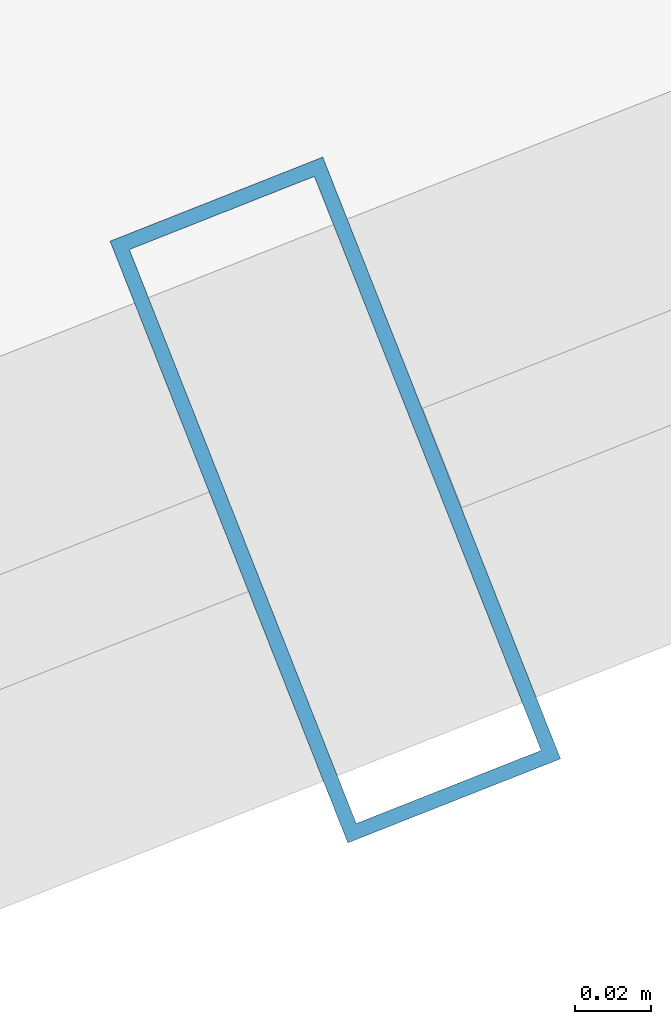
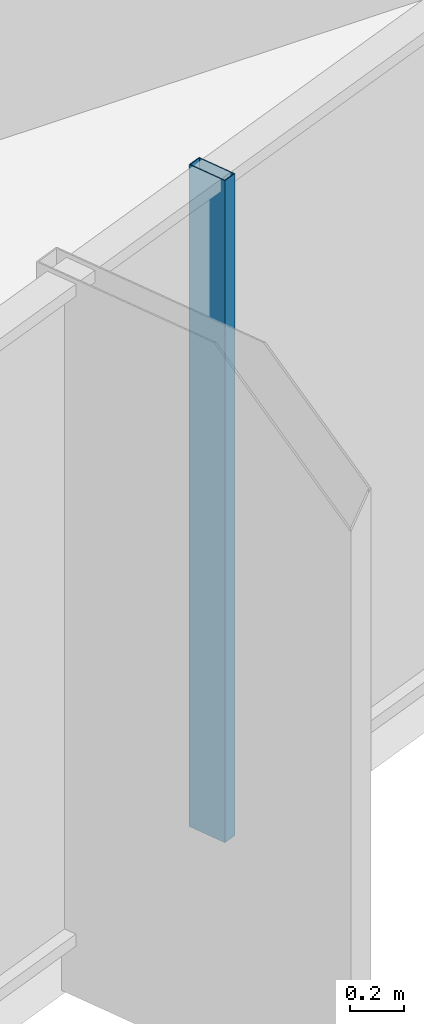
# One storey, part 8 of 29: 1 member, 1 element without a shape of its own.
"""IFC4 building model written with IfcOpenShell, lengths in metres."""

from ifc_helpers import new_model, si_unit, direction, frame, origin, origin_2d, place, context, subcontext, project, spatial, hollow_rectangle, extrude, source, transform, mapped, material, layer, layer_set, material_profile, profile_set, type_object, element, aggregate, save


model = new_model("IFC4")

# Units and contexts
model_context = context("Model", 3, precision=1e-05, world=origin(), true_north=direction((0.0, 1.0)))
body_context = subcontext(model_context, "Body", "Model", "MODEL_VIEW")
ifc_project = project(units=[si_unit("LENGTHUNIT", "METRE"), si_unit("AREAUNIT", "SQUARE_METRE"), si_unit("VOLUMEUNIT", "CUBIC_METRE"), si_unit("PLANEANGLEUNIT", "RADIAN"), si_unit("MASSUNIT", "GRAM", prefix="KILO")], contexts=[model_context])

# Site, building, storey
site_placement = place(None, origin())
site = spatial("IfcSite", under=ifc_project, at=site_placement, CompositionType="ELEMENT")
building_placement = place(site_placement, origin())
building = spatial("IfcBuilding", under=site, at=building_placement, Name="Veraguas Prism Commons", CompositionType="ELEMENT")
storey_placement = place(building_placement, frame((0.0, 0.0, 99.199951171875)))
storey = spatial("IfcBuildingStorey", under=building, at=storey_placement, Name="L27", CompositionType="ELEMENT", Elevation=99.199951171875)

# Curtain wall, member
ifc_material = material(Name="Anodised aluminium EN AW-6063 T6", Category="aluminium")
ifc_layer = layer(ifc_material, 0.169921875, Name="Unitised Flush Curtain Wall Zone 2", Category="aluminium")
ifc_layer_set = layer_set([ifc_layer], Name="Anodised aluminium EN AW-6063 T6")
curtain_wall_type = type_object("IfcCurtainWallType", Name="Unitised Flush Curtain Wall Zone 2", PredefinedType="NOTDEFINED", material=ifc_layer_set)
curtain_wall_placement = place(storey_placement, origin())
curtain_wall = element("IfcCurtainWall", 1, at=curtain_wall_placement, inside=storey, type_object=curtain_wall_type, Name="Tower Facade Curtain Wall L27-F5", PredefinedType="NOTDEFINED")
ifc_material_profile = material_profile(ifc_material, hollow_rectangle(XDim=0.06005859375, YDim=0.169921875, WallThickness=0.00390625, at=origin_2d()), Name="AL60X170X4")
ifc_profile_set = profile_set([ifc_material_profile], Name="Anodised aluminium EN AW-6063 T6")
member_type = type_object("IfcMemberType", Name="Curtain Wall Mullion Lower AL 60x170x4", PredefinedType="MULLION", material=ifc_profile_set)
shared_shape = source(origin(), body_context, "Body", "SweptSolid", [
    extrude(hollow_rectangle(XDim=0.06005859375, YDim=0.169921875, WallThickness=0.00390625, at=origin_2d()), origin(), (0.0, 0.0, 1.0), 3.0),
])
member_placement = place(storey_placement, frame((35.05615234375, 7.742919921875, 0.0), z_axis=(0.0, 0.0, 1.0), x_axis=(0.93003197597, 0.367478603014, 0.0)))
member = element("IfcMember", 2, at=member_placement, type_object=member_type, Name="CW-Z2 Mullion 4", PredefinedType="MULLION", context=body_context, shape_type="MappedRepresentation", body=[
    mapped(shared_shape, transform((0.0, 0.0, 0.0), scale=1.0)),
])
aggregate(curtain_wall, [member])

save(model, "model.ifc")
